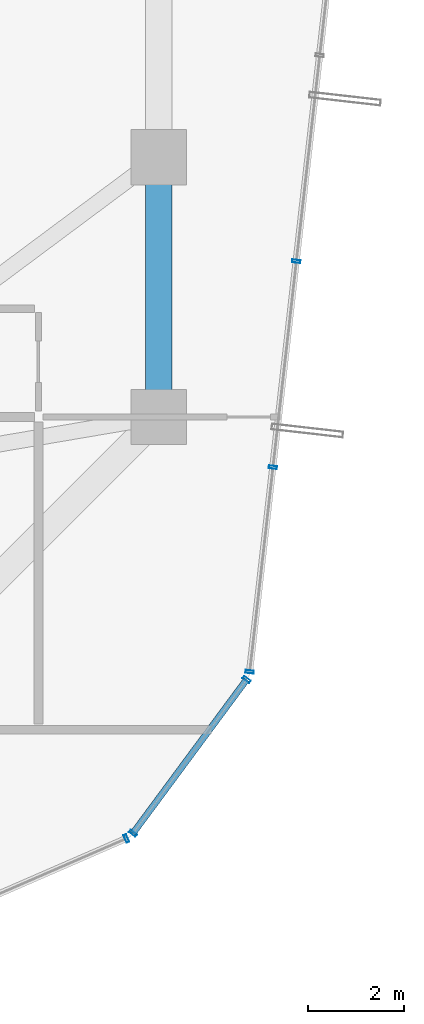
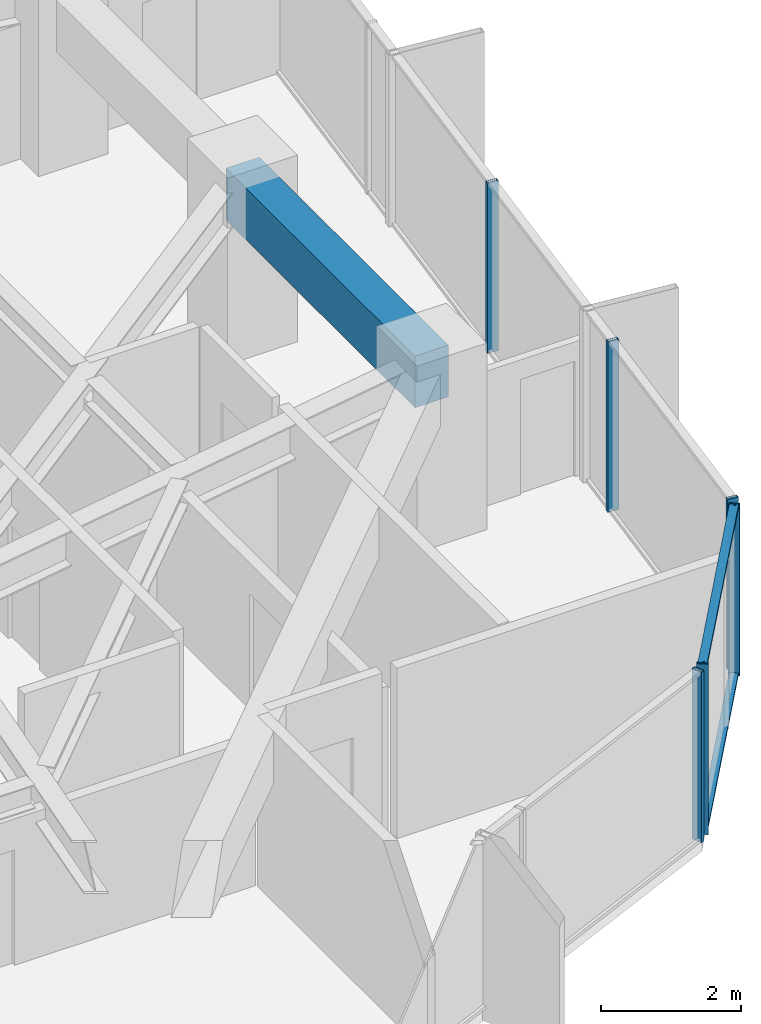
# One storey, part 14 of 29: 8 members, 1 beam, 3 elements without a shape of their own.
"""IFC4 building model written with IfcOpenShell, lengths in metres."""

from ifc_helpers import new_model, si_unit, direction, frame, origin, origin_2d, place, context, subcontext, project, spatial, rectangle, hollow_rectangle, extrude, source, transform, mapped, material, layer, layer_set, material_profile, profile_set, type_object, element, aggregate, save


model = new_model("IFC4")

# Units and contexts
model_context = context("Model", 3, precision=1e-05, world=origin(), true_north=direction((0.0, 1.0)))
body_context = subcontext(model_context, "Body", "Model", "MODEL_VIEW")
ifc_project = project(units=[si_unit("LENGTHUNIT", "METRE"), si_unit("AREAUNIT", "SQUARE_METRE"), si_unit("VOLUMEUNIT", "CUBIC_METRE"), si_unit("PLANEANGLEUNIT", "RADIAN"), si_unit("MASSUNIT", "GRAM", prefix="KILO")], contexts=[model_context])

# Site, building, storey
site_placement = place(None, origin())
site = spatial("IfcSite", under=ifc_project, at=site_placement, CompositionType="ELEMENT")
building_placement = place(site_placement, origin())
building = spatial("IfcBuilding", under=site, at=building_placement, Name="Veraguas Prism Commons", CompositionType="ELEMENT")
storey_placement = place(building_placement, frame((0.0, 0.0, 105.699951171875)))
storey = spatial("IfcBuildingStorey", under=building, at=storey_placement, Name="L29", CompositionType="ELEMENT", Elevation=105.699951171875)

# Beam
ifc_material_1 = material(Name="Concrete C50/60", Category="concrete")
ifc_material_profile_1 = material_profile(ifc_material_1, rectangle(XDim=0.550048828125, YDim=0.89990234375, at=origin_2d()), Name="RC550X900")
ifc_profile_set_1 = profile_set([ifc_material_profile_1], Name="Concrete C50/60")
beam_type = type_object("IfcBeamType", Name="Perimeter Spandrel Lower RC 550x900", PredefinedType="SPANDREL", material=ifc_profile_set_1)
beam_placement = place(storey_placement, frame((40.199951171875, 18.60009765625, 2.52001953125), z_axis=(0.0, 1.0, 0.0), x_axis=(-1.0, 0.0, 0.0)))
element("IfcBeam", 1, at=beam_placement, inside=storey, type_object=beam_type, Name="Perimeter Spandrel Beam L29-SP01", PredefinedType="SPANDREL", context=body_context, shape_type="SweptSolid", body=[
    extrude(rectangle(XDim=0.550048828125, YDim=0.89990234375, at=origin_2d()), origin(), (0.0, 0.0, 1.0), 5.39990234375),
])

# Curtain wall, member
ifc_material_2 = material(Name="Anodised aluminium EN AW-6063 T6", Category="aluminium")
ifc_layer = layer(ifc_material_2, 0.169921875, Name="Unitised Flush Curtain Wall Zone 2", Category="aluminium")
ifc_layer_set = layer_set([ifc_layer], Name="Anodised aluminium EN AW-6063 T6")
curtain_wall_type = type_object("IfcCurtainWallType", Name="Unitised Flush Curtain Wall Zone 2", PredefinedType="NOTDEFINED", material=ifc_layer_set)
curtain_wall_1_placement = place(storey_placement, origin())
curtain_wall_1 = element("IfcCurtainWall", 2, at=curtain_wall_1_placement, inside=storey, type_object=curtain_wall_type, Name="Tower Facade Curtain Wall L29-F5", PredefinedType="NOTDEFINED")
ifc_material_profile_2 = material_profile(ifc_material_2, hollow_rectangle(XDim=0.06005859375, YDim=0.169921875, WallThickness=0.00390625, at=origin_2d()), Name="AL60X170X4")
ifc_profile_set_2 = profile_set([ifc_material_profile_2], Name="Anodised aluminium EN AW-6063 T6")
member_type_1 = type_object("IfcMemberType", Name="Curtain Wall Mullion Lower AL 60x170x4", PredefinedType="MULLION", material=ifc_profile_set_2)
shared_shape_1 = source(origin(), body_context, "Body", "SweptSolid", [
    extrude(hollow_rectangle(XDim=0.06005859375, YDim=0.169921875, WallThickness=0.00390625, at=origin_2d()), origin(), (0.0, 0.0, 1.0), 2.969970703125),
])
member_1_placement = place(storey_placement, frame((39.52880859375, 9.838134765625, 0.0), z_axis=(0.0, 0.0, 1.0), x_axis=(0.916919435815, 0.399072359635, 0.0)))
member_1 = element("IfcMember", 3, at=member_1_placement, type_object=member_type_1, Name="CW-Z2 Mullion 5", PredefinedType="MULLION", context=body_context, shape_type="MappedRepresentation", body=[
    mapped(shared_shape_1, transform((0.0, 0.0, 0.0), scale=1.0)),
])
aggregate(curtain_wall_1, [member_1])

# Curtain wall, members
curtain_wall_2_placement = place(storey_placement, origin())
curtain_wall_2 = element("IfcCurtainWall", 4, at=curtain_wall_2_placement, inside=storey, type_object=curtain_wall_type, Name="Tower Facade Curtain Wall L29-F6", PredefinedType="NOTDEFINED")
member_2_placement = place(storey_placement, frame((42.0908203125, 13.302734375, 0.0), z_axis=(0.0, 0.0, 1.0), x_axis=(0.112856384873, 0.99361131052, 0.0)))
member_2 = element("IfcMember", 5, at=member_2_placement, type_object=member_type_1, Name="CW-Z2 Mullion 1", PredefinedType="MULLION", context=body_context, shape_type="MappedRepresentation", body=[
    mapped(shared_shape_1, transform((0.0, 0.0, 0.0), scale=1.0)),
])
member_3_placement = place(storey_placement, frame((42.57373046875, 17.553955078125, 0.0), z_axis=(0.0, 0.0, 1.0), x_axis=(0.112856384873, 0.99361131052, 0.0)))
member_3 = element("IfcMember", 6, at=member_3_placement, type_object=member_type_1, Name="CW-Z2 Mullion 2", PredefinedType="MULLION", context=body_context, shape_type="MappedRepresentation", body=[
    mapped(shared_shape_1, transform((0.0, 0.0, 0.0), scale=1.0)),
])
member_4_placement = place(storey_placement, frame((43.059814453125, 21.835205078125, 0.0), z_axis=(0.0, 0.0, 1.0), x_axis=(0.112856384873, 0.99361131052, 0.0)))
member_4 = element("IfcMember", 7, at=member_4_placement, type_object=member_type_1, Name="CW-Z2 Mullion 3", PredefinedType="MULLION", context=body_context, shape_type="MappedRepresentation", body=[
    mapped(shared_shape_1, transform((0.0, 0.0, 0.0), scale=1.0)),
])
aggregate(curtain_wall_2, [member_2, member_3, member_4])

curtain_wall_3_placement = place(storey_placement, origin())
curtain_wall_3 = element("IfcCurtainWall", 8, at=curtain_wall_3_placement, inside=storey, type_object=curtain_wall_type, Name="Chamfer Curtain Wall L29-C6", PredefinedType="NOTDEFINED")
member_5_placement = place(storey_placement, frame((39.6650390625, 9.9462890625, 0.0), z_axis=(0.0, 0.0, 1.0), x_axis=(0.594519697593, 0.804081046397, 0.0)))
member_5 = element("IfcMember", 9, at=member_5_placement, type_object=member_type_1, Name="CW-Z2 Mullion 1", PredefinedType="MULLION", context=body_context, shape_type="MappedRepresentation", body=[
    mapped(shared_shape_1, transform((0.0, 0.0, 0.0), scale=1.0)),
])
member_6_placement = place(storey_placement, frame((42.027099609375, 13.14111328125, 0.0), z_axis=(0.0, 0.0, 1.0), x_axis=(0.594519697593, 0.804081046397, 0.0)))
member_6 = element("IfcMember", 10, at=member_6_placement, type_object=member_type_1, Name="CW-Z2 Mullion 2", PredefinedType="MULLION", context=body_context, shape_type="MappedRepresentation", body=[
    mapped(shared_shape_1, transform((0.0, 0.0, 0.0), scale=1.0)),
])
ifc_material_profile_3 = material_profile(ifc_material_2, hollow_rectangle(XDim=0.054931640625, YDim=0.135009765625, WallThickness=0.0029296875, at=origin_2d()), Name="AL55X135X3")
ifc_profile_set_3 = profile_set([ifc_material_profile_3], Name="Anodised aluminium EN AW-6063 T6")
member_type_2 = type_object("IfcMemberType", Name="Curtain Wall Transom Standard AL 55x135x3", PredefinedType="USERDEFINED", material=ifc_profile_set_3)
shared_shape_2 = source(origin(), body_context, "Body", "SweptSolid", [
    extrude(hollow_rectangle(XDim=0.054931640625, YDim=0.135009765625, WallThickness=0.0029296875, at=origin_2d()), origin(), (0.0, 0.0, 1.0), 3.97314453125),
])
member_7_placement = place(storey_placement, frame((39.6650390625, 9.9462890625, 0.027587890625), z_axis=(0.594499902497, 0.804095682075, 0.0), x_axis=(0.0, 0.0, 1.0)))
member_7 = element("IfcMember", 11, at=member_7_placement, type_object=member_type_2, Name="CW-Z2 Transom 1", ObjectType="TRANSOM", PredefinedType="USERDEFINED", context=body_context, shape_type="MappedRepresentation", body=[
    mapped(shared_shape_2, transform((0.0, 0.0, 0.0), scale=1.0)),
])
member_8_placement = place(storey_placement, frame((39.6650390625, 9.9462890625, 2.942626953125), z_axis=(0.594499902497, 0.804095682075, 0.0), x_axis=(0.0, 0.0, 1.0)))
member_8 = element("IfcMember", 12, at=member_8_placement, type_object=member_type_2, Name="CW-Z2 Transom 2", ObjectType="TRANSOM", PredefinedType="USERDEFINED", context=body_context, shape_type="MappedRepresentation", body=[
    mapped(shared_shape_2, transform((0.0, 0.0, 0.0), scale=1.0)),
])
aggregate(curtain_wall_3, [member_5, member_6, member_7, member_8])

save(model, "model.ifc")
